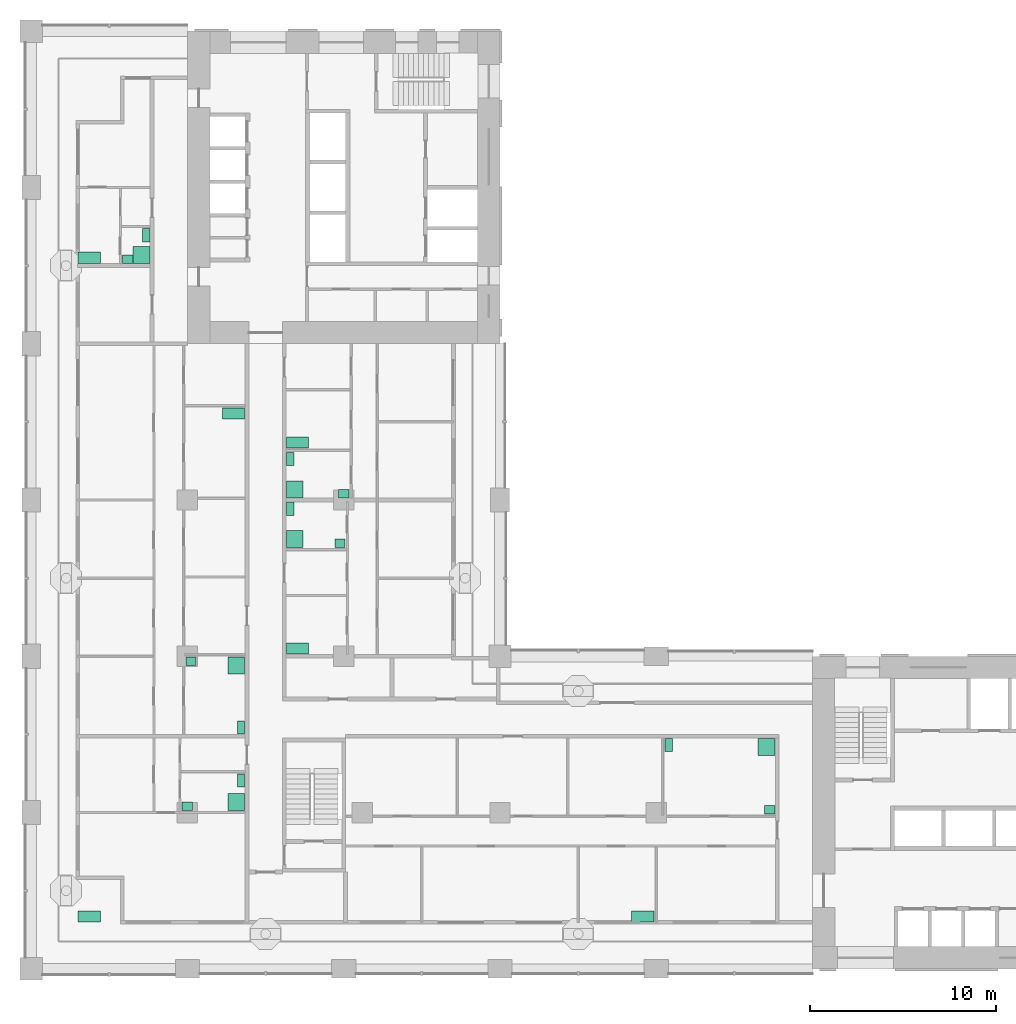
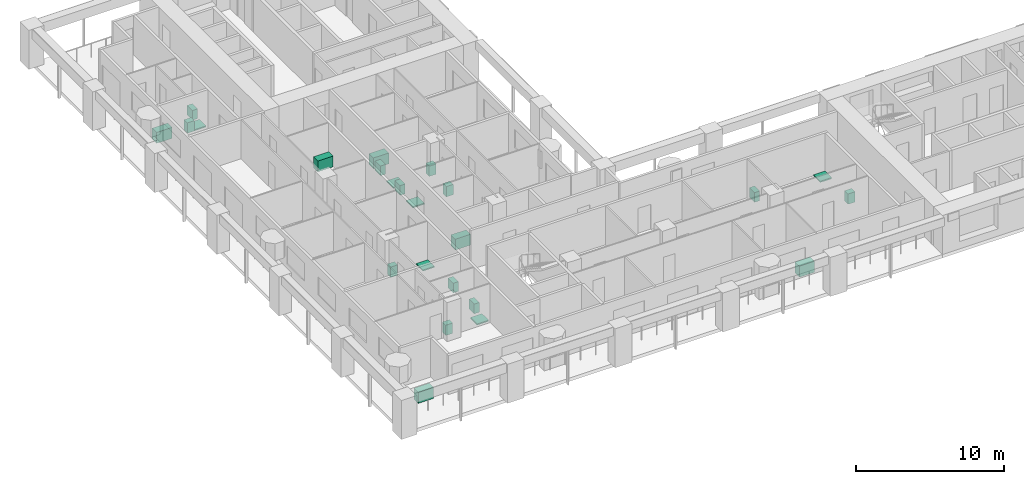
# One storey, part 16 of 18: 24 sanitary terminals.
"""IFC4 building model written with IfcOpenShell, lengths in metres."""

from ifc_helpers import new_model, si_unit, direction, frame, origin, origin_2d, place, context, subcontext, project, spatial, rectangle, extrude, material, element, save


model = new_model("IFC4")

# Units and contexts
model_context = context("Model", 3, precision=1e-05, world=origin(), true_north=direction((0.0, 1.0)))
body_context = subcontext(model_context, "Body", "Model", "MODEL_VIEW")
ifc_project = project(units=[si_unit("LENGTHUNIT", "METRE"), si_unit("AREAUNIT", "SQUARE_METRE"), si_unit("VOLUMEUNIT", "CUBIC_METRE"), si_unit("PLANEANGLEUNIT", "RADIAN"), si_unit("MASSUNIT", "GRAM", prefix="KILO")], contexts=[model_context])

# Site, building, storey
site_placement = place(None, origin())
site = spatial("IfcSite", under=ifc_project, at=site_placement, CompositionType="ELEMENT")
building_placement = place(site_placement, origin())
building = spatial("IfcBuilding", under=site, at=building_placement, Name="Vermilion Gate Residences", CompositionType="ELEMENT")
storey_placement = place(building_placement, frame((0.0, 0.0, 84.699951171875)))
storey = spatial("IfcBuildingStorey", under=building, at=storey_placement, Name="L20", CompositionType="ELEMENT", Elevation=84.699951171875)

# Sanitary terminals
ifc_material_1 = material(Name="Stainless steel", Category="steel")
sanitary_terminal_1_placement = place(storey_placement, frame((3.1201171875, 11.219970703125, 0.0), z_axis=(0.0, 0.0, 1.0), x_axis=(1.0, 0.0, 0.0)))
element("IfcSanitaryTerminal", 1, at=sanitary_terminal_1_placement, inside=storey, material=ifc_material_1, Name="Kitchen sink", PredefinedType="SINK", context=body_context, shape_type="SweptSolid", body=[
    extrude(rectangle(XDim=1.199951171875, YDim=0.60009765625, at=origin_2d()), origin(), (0.0, 0.0, 1.0), 0.89990234375),
])
ifc_material_2 = material(Name="Vitreous china")
sanitary_terminal_2_placement = place(storey_placement, frame((11.030029296875, 17.3701171875, 0.0), z_axis=(0.0, 0.0, 1.0), x_axis=(1.0, 0.0, 0.0)))
element("IfcSanitaryTerminal", 2, at=sanitary_terminal_2_placement, inside=storey, material=ifc_material_2, Name="Shower tray", PredefinedType="SHOWER", context=body_context, shape_type="SweptSolid", body=[
    extrude(rectangle(XDim=0.89990234375, YDim=0.89990234375, at=origin_2d()), origin(), (0.0, 0.0, 1.0), 0.10009765625),
])
sanitary_terminal_3_placement = place(storey_placement, frame((11.280029296875, 18.530029296875, 0.0), z_axis=(0.0, 0.0, 1.0), x_axis=(1.0, 0.0, 0.0)))
element("IfcSanitaryTerminal", 3, at=sanitary_terminal_3_placement, inside=storey, material=ifc_material_2, Name="Toilet", PredefinedType="TOILETPAN", context=body_context, shape_type="SweptSolid", body=[
    extrude(rectangle(XDim=0.39990234375, YDim=0.699951171875, at=origin_2d()), origin(), (0.0, 0.0, 1.0), 0.800048828125),
])
sanitary_terminal_4_placement = place(storey_placement, frame((8.39501953125, 17.14501953125, 0.0), z_axis=(0.0, 0.0, 1.0), x_axis=(1.0, 0.0, 0.0)))
element("IfcSanitaryTerminal", 4, at=sanitary_terminal_4_placement, inside=storey, material=ifc_material_2, Name="Wash basin", PredefinedType="WASHHANDBASIN", context=body_context, shape_type="SweptSolid", body=[
    extrude(rectangle(XDim=0.550048828125, YDim=0.449951171875, at=origin_2d()), origin(), (0.0, 0.0, 1.0), 0.85009765625),
])
sanitary_terminal_5_placement = place(storey_placement, frame((32.8798828125, 11.219970703125, 0.0), z_axis=(0.0, 0.0, 1.0), x_axis=(1.0, 0.0, 0.0)))
element("IfcSanitaryTerminal", 5, at=sanitary_terminal_5_placement, inside=storey, material=ifc_material_1, Name="Kitchen sink", PredefinedType="SINK", context=body_context, shape_type="SweptSolid", body=[
    extrude(rectangle(XDim=1.199951171875, YDim=0.60009765625, at=origin_2d()), origin(), (0.0, 0.0, 1.0), 0.89990234375),
])
sanitary_terminal_6_placement = place(storey_placement, frame((39.530029296875, 20.330078125, 0.0), z_axis=(0.0, 0.0, 1.0), x_axis=(1.0, 0.0, 0.0)))
element("IfcSanitaryTerminal", 6, at=sanitary_terminal_6_placement, inside=storey, material=ifc_material_2, Name="Shower tray", PredefinedType="SHOWER", context=body_context, shape_type="SweptSolid", body=[
    extrude(rectangle(XDim=0.89990234375, YDim=0.89990234375, at=origin_2d()), origin(), (0.0, 0.0, 1.0), 0.10009765625),
])
sanitary_terminal_7_placement = place(storey_placement, frame((34.27001953125, 20.429931640625, 0.0), z_axis=(0.0, 0.0, 1.0), x_axis=(1.0, 0.0, 0.0)))
element("IfcSanitaryTerminal", 7, at=sanitary_terminal_7_placement, inside=storey, material=ifc_material_2, Name="Toilet", PredefinedType="TOILETPAN", context=body_context, shape_type="SweptSolid", body=[
    extrude(rectangle(XDim=0.39990234375, YDim=0.699951171875, at=origin_2d()), origin(), (0.0, 0.0, 1.0), 0.800048828125),
])
sanitary_terminal_8_placement = place(storey_placement, frame((39.705078125, 16.945068359375, 0.0), z_axis=(0.0, 0.0, 1.0), x_axis=(1.0, 0.0, 0.0)))
element("IfcSanitaryTerminal", 8, at=sanitary_terminal_8_placement, inside=storey, material=ifc_material_2, Name="Wash basin", PredefinedType="WASHHANDBASIN", context=body_context, shape_type="SweptSolid", body=[
    extrude(rectangle(XDim=0.550048828125, YDim=0.449951171875, at=origin_2d()), origin(), (0.0, 0.0, 1.0), 0.85009765625),
])
sanitary_terminal_9_placement = place(storey_placement, frame((11.030029296875, 24.7099609375, 0.0), z_axis=(0.0, 0.0, 1.0), x_axis=(1.0, 0.0, 0.0)))
element("IfcSanitaryTerminal", 9, at=sanitary_terminal_9_placement, inside=storey, material=ifc_material_2, Name="Shower tray", PredefinedType="SHOWER", context=body_context, shape_type="SweptSolid", body=[
    extrude(rectangle(XDim=0.89990234375, YDim=0.89990234375, at=origin_2d()), origin(), (0.0, 0.0, 1.0), 0.10009765625),
])
sanitary_terminal_10_placement = place(storey_placement, frame((11.280029296875, 21.3701171875, 0.0), z_axis=(0.0, 0.0, 1.0), x_axis=(1.0, 0.0, 0.0)))
element("IfcSanitaryTerminal", 10, at=sanitary_terminal_10_placement, inside=storey, material=ifc_material_2, Name="Toilet", PredefinedType="TOILETPAN", context=body_context, shape_type="SweptSolid", body=[
    extrude(rectangle(XDim=0.39990234375, YDim=0.699951171875, at=origin_2d()), origin(), (0.0, 0.0, 1.0), 0.800048828125),
])
sanitary_terminal_11_placement = place(storey_placement, frame((8.594970703125, 24.93505859375, 0.0), z_axis=(0.0, 0.0, 1.0), x_axis=(1.0, 0.0, 0.0)))
element("IfcSanitaryTerminal", 11, at=sanitary_terminal_11_placement, inside=storey, material=ifc_material_2, Name="Wash basin", PredefinedType="WASHHANDBASIN", context=body_context, shape_type="SweptSolid", body=[
    extrude(rectangle(XDim=0.550048828125, YDim=0.449951171875, at=origin_2d()), origin(), (0.0, 0.0, 1.0), 0.85009765625),
])
for number, where, z_axis, x_axis, name in (
    (12, (10.8798828125, 38.25, 0.0), (0.0, 0.0, 1.0), (1.0, 0.0, 0.0), "Kitchen sink"),
    (13, (14.320068359375, 25.6201171875, 0.0), (0.0, 0.0, 1.0), (1.0, 0.0, 0.0), "Kitchen sink"),
):
    element("IfcSanitaryTerminal", number, at=place(storey_placement, frame(where, z_axis=z_axis, x_axis=x_axis)), inside=storey, material=ifc_material_1, Name=name, PredefinedType="SINK", context=body_context, shape_type="SweptSolid", body=[
        extrude(rectangle(XDim=1.199951171875, YDim=0.60009765625, at=origin_2d()), origin(), (0.0, 0.0, 1.0), 0.89990234375),
    ])
sanitary_terminal_12_placement = place(storey_placement, frame((14.169921875, 31.5029296875, 0.0), z_axis=(0.0, 0.0, 1.0), x_axis=(1.0, 0.0, 0.0)))
element("IfcSanitaryTerminal", 14, at=sanitary_terminal_12_placement, inside=storey, material=ifc_material_2, Name="Shower tray", PredefinedType="SHOWER", context=body_context, shape_type="SweptSolid", body=[
    extrude(rectangle(XDim=0.89990234375, YDim=0.89990234375, at=origin_2d()), origin(), (0.0, 0.0, 1.0), 0.10009765625),
])
sanitary_terminal_13_placement = place(storey_placement, frame((13.919921875, 33.1298828125, 0.0), z_axis=(0.0, 0.0, 1.0), x_axis=(1.0, 0.0, 0.0)))
element("IfcSanitaryTerminal", 15, at=sanitary_terminal_13_placement, inside=storey, material=ifc_material_2, Name="Toilet", PredefinedType="TOILETPAN", context=body_context, shape_type="SweptSolid", body=[
    extrude(rectangle(XDim=0.39990234375, YDim=0.699951171875, at=origin_2d()), origin(), (0.0, 0.0, 1.0), 0.800048828125),
])
sanitary_terminal_14_placement = place(storey_placement, frame((16.60498046875, 31.278076171875, 0.0), z_axis=(0.0, 0.0, 1.0), x_axis=(1.0, 0.0, 0.0)))
element("IfcSanitaryTerminal", 16, at=sanitary_terminal_14_placement, inside=storey, material=ifc_material_2, Name="Wash basin", PredefinedType="WASHHANDBASIN", context=body_context, shape_type="SweptSolid", body=[
    extrude(rectangle(XDim=0.550048828125, YDim=0.449951171875, at=origin_2d()), origin(), (0.0, 0.0, 1.0), 0.85009765625),
])
sanitary_terminal_15_placement = place(storey_placement, frame((14.169921875, 34.169921875, 0.0), z_axis=(0.0, 0.0, 1.0), x_axis=(1.0, 0.0, 0.0)))
element("IfcSanitaryTerminal", 17, at=sanitary_terminal_15_placement, inside=storey, material=ifc_material_2, Name="Shower tray", PredefinedType="SHOWER", context=body_context, shape_type="SweptSolid", body=[
    extrude(rectangle(XDim=0.89990234375, YDim=0.89990234375, at=origin_2d()), origin(), (0.0, 0.0, 1.0), 0.10009765625),
])
sanitary_terminal_16_placement = place(storey_placement, frame((13.919921875, 35.797119140625, 0.0), z_axis=(0.0, 0.0, 1.0), x_axis=(1.0, 0.0, 0.0)))
element("IfcSanitaryTerminal", 18, at=sanitary_terminal_16_placement, inside=storey, material=ifc_material_2, Name="Toilet", PredefinedType="TOILETPAN", context=body_context, shape_type="SweptSolid", body=[
    extrude(rectangle(XDim=0.39990234375, YDim=0.699951171875, at=origin_2d()), origin(), (0.0, 0.0, 1.0), 0.800048828125),
])
sanitary_terminal_17_placement = place(storey_placement, frame((16.804931640625, 33.945068359375, 0.0), z_axis=(0.0, 0.0, 1.0), x_axis=(1.0, 0.0, 0.0)))
element("IfcSanitaryTerminal", 19, at=sanitary_terminal_17_placement, inside=storey, material=ifc_material_2, Name="Wash basin", PredefinedType="WASHHANDBASIN", context=body_context, shape_type="SweptSolid", body=[
    extrude(rectangle(XDim=0.550048828125, YDim=0.449951171875, at=origin_2d()), origin(), (0.0, 0.0, 1.0), 0.85009765625),
])
for number, where, z_axis, x_axis, name in (
    (20, (14.320068359375, 36.68701171875, 0.0), (0.0, 0.0, 1.0), (1.0, 0.0, 0.0), "Kitchen sink"),
    (21, (3.1201171875, 46.6201171875, 0.0), (0.0, 0.0, 1.0), (1.0, 0.0, 0.0), "Kitchen sink"),
):
    element("IfcSanitaryTerminal", number, at=place(storey_placement, frame(where, z_axis=z_axis, x_axis=x_axis)), inside=storey, material=ifc_material_1, Name=name, PredefinedType="SINK", context=body_context, shape_type="SweptSolid", body=[
        extrude(rectangle(XDim=1.199951171875, YDim=0.60009765625, at=origin_2d()), origin(), (0.0, 0.0, 1.0), 0.89990234375),
    ])
sanitary_terminal_18_placement = place(storey_placement, frame((5.929931640625, 46.77001953125, 0.0), z_axis=(0.0, 0.0, 1.0), x_axis=(1.0, 0.0, 0.0)))
element("IfcSanitaryTerminal", 22, at=sanitary_terminal_18_placement, inside=storey, material=ifc_material_2, Name="Shower tray", PredefinedType="SHOWER", context=body_context, shape_type="SweptSolid", body=[
    extrude(rectangle(XDim=0.89990234375, YDim=0.89990234375, at=origin_2d()), origin(), (0.0, 0.0, 1.0), 0.10009765625),
])
sanitary_terminal_19_placement = place(storey_placement, frame((6.179931640625, 47.830078125, 0.0), z_axis=(0.0, 0.0, 1.0), x_axis=(1.0, 0.0, 0.0)))
element("IfcSanitaryTerminal", 23, at=sanitary_terminal_19_placement, inside=storey, material=ifc_material_2, Name="Toilet", PredefinedType="TOILETPAN", context=body_context, shape_type="SweptSolid", body=[
    extrude(rectangle(XDim=0.39990234375, YDim=0.699951171875, at=origin_2d()), origin(), (0.0, 0.0, 1.0), 0.800048828125),
])
sanitary_terminal_20_placement = place(storey_placement, frame((5.195068359375, 46.544921875, 0.0), z_axis=(0.0, 0.0, 1.0), x_axis=(1.0, 0.0, 0.0)))
element("IfcSanitaryTerminal", 24, at=sanitary_terminal_20_placement, inside=storey, material=ifc_material_2, Name="Wash basin", PredefinedType="WASHHANDBASIN", context=body_context, shape_type="SweptSolid", body=[
    extrude(rectangle(XDim=0.550048828125, YDim=0.449951171875, at=origin_2d()), origin(), (0.0, 0.0, 1.0), 0.85009765625),
])

save(model, "model.ifc")
